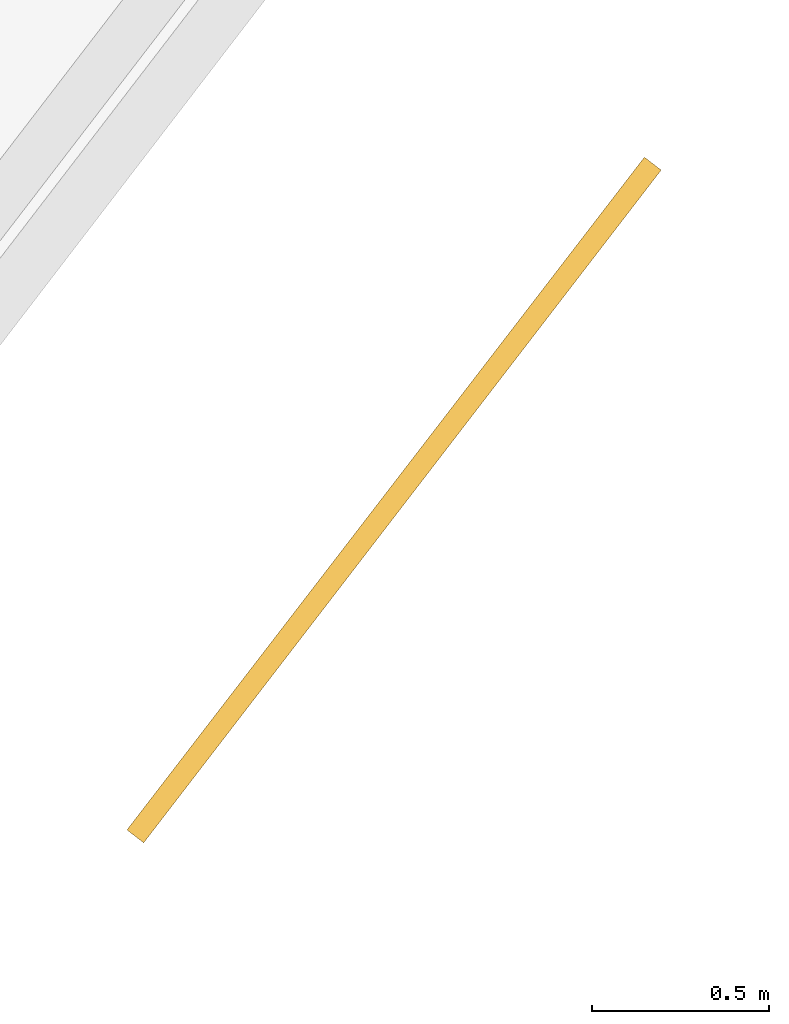
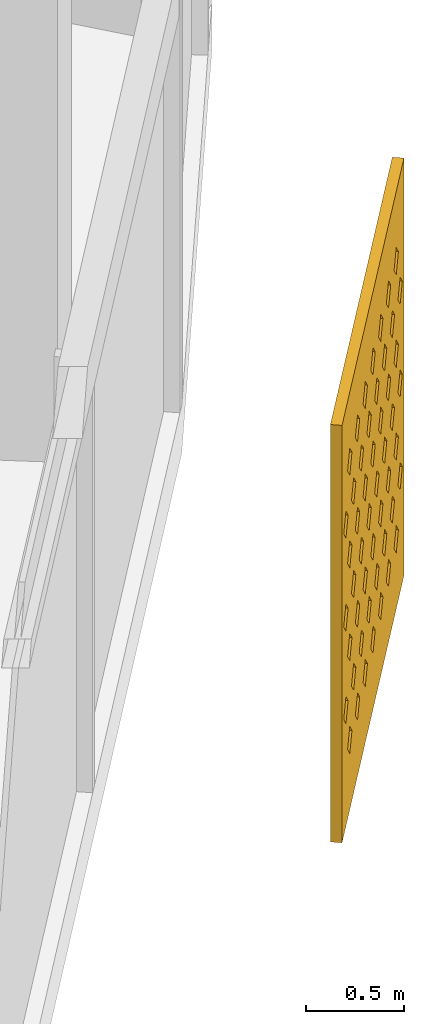
# One storey, part 27 of 27: 1 shading device.
"""IFC4 building model written with IfcOpenShell, lengths in metres."""

from ifc_helpers import new_model, si_unit, direction, frame, origin, place, context, subcontext, project, spatial, polyline, outline, extrude, material, material_profile, profile_set, type_object, element, save


model = new_model("IFC4")

# Units and contexts
model_context = context("Model", 3, precision=1e-05, world=origin(), true_north=direction((0.0, 1.0)))
body_context = subcontext(model_context, "Body", "Model", "MODEL_VIEW")
ifc_project = project(units=[si_unit("LENGTHUNIT", "METRE"), si_unit("AREAUNIT", "SQUARE_METRE"), si_unit("VOLUMEUNIT", "CUBIC_METRE"), si_unit("PLANEANGLEUNIT", "RADIAN"), si_unit("MASSUNIT", "GRAM", prefix="KILO")], contexts=[model_context])

# Site, building, storey
site_placement = place(None, origin())
site = spatial("IfcSite", under=ifc_project, at=site_placement, CompositionType="ELEMENT")
building_placement = place(site_placement, origin())
building = spatial("IfcBuilding", under=site, at=building_placement, Name="Qamariyya Broadcast Tower", CompositionType="ELEMENT")
storey_placement = place(building_placement, frame((0.0, 0.0, 191.10009765625)))
storey = spatial("IfcBuildingStorey", under=building, at=storey_placement, Name="L45", CompositionType="ELEMENT", Elevation=191.10009765625)

# Shading device
ifc_material = material(Name="Perforated glazed terracotta", Category="masonry")
ifc_material_profile = material_profile(ifc_material, outline(polyline([(-1.199951171875, -1.300048828125), (1.199951171875, -1.300048828125), (1.199951171875, 1.300048828125), (-1.199951171875, 1.300048828125), (-1.199951171875, -1.300048828125)]), holes=[polyline([(-0.81494140625, -0.86669921875), (-0.89990234375, -0.78173828125), (-0.985107421875, -0.86669921875), (-0.89990234375, -0.95166015625), (-0.81494140625, -0.86669921875)]), polyline([(-0.514892578125, -0.86669921875), (-0.60009765625, -0.78173828125), (-0.68505859375, -0.86669921875), (-0.60009765625, -0.95166015625), (-0.514892578125, -0.86669921875)]), polyline([(-0.215087890625, -0.86669921875), (-0.300048828125, -0.78173828125), (-0.385009765625, -0.86669921875), (-0.300048828125, -0.95166015625), (-0.215087890625, -0.86669921875)]), polyline([(0.0849609375, -0.86669921875), (0.0, -0.78173828125), (-0.0849609375, -0.86669921875), (0.0, -0.95166015625), (0.0849609375, -0.86669921875)]), polyline([(0.385009765625, -0.86669921875), (0.300048828125, -0.78173828125), (0.215087890625, -0.86669921875), (0.300048828125, -0.95166015625), (0.385009765625, -0.86669921875)]), polyline([(0.68505859375, -0.86669921875), (0.60009765625, -0.78173828125), (0.514892578125, -0.86669921875), (0.60009765625, -0.95166015625), (0.68505859375, -0.86669921875)]), polyline([(0.985107421875, -0.86669921875), (0.89990234375, -0.78173828125), (0.81494140625, -0.86669921875), (0.89990234375, -0.95166015625), (0.985107421875, -0.86669921875)]), polyline([(-0.965087890625, -0.577880859375), (-1.050048828125, -0.49267578125), (-1.135009765625, -0.577880859375), (-1.050048828125, -0.662841796875), (-0.965087890625, -0.577880859375)]), polyline([(-0.6650390625, -0.577880859375), (-0.75, -0.49267578125), (-0.8349609375, -0.577880859375), (-0.75, -0.662841796875), (-0.6650390625, -0.577880859375)]), polyline([(-0.364990234375, -0.577880859375), (-0.449951171875, -0.49267578125), (-0.534912109375, -0.577880859375), (-0.449951171875, -0.662841796875), (-0.364990234375, -0.577880859375)]), polyline([(-0.06494140625, -0.577880859375), (-0.14990234375, -0.49267578125), (-0.235107421875, -0.577880859375), (-0.14990234375, -0.662841796875), (-0.06494140625, -0.577880859375)]), polyline([(0.235107421875, -0.577880859375), (0.14990234375, -0.49267578125), (0.06494140625, -0.577880859375), (0.14990234375, -0.662841796875), (0.235107421875, -0.577880859375)]), polyline([(0.534912109375, -0.577880859375), (0.449951171875, -0.49267578125), (0.364990234375, -0.577880859375), (0.449951171875, -0.662841796875), (0.534912109375, -0.577880859375)]), polyline([(0.8349609375, -0.577880859375), (0.75, -0.49267578125), (0.6650390625, -0.577880859375), (0.75, -0.662841796875), (0.8349609375, -0.577880859375)]), polyline([(1.135009765625, -0.577880859375), (1.050048828125, -0.49267578125), (0.965087890625, -0.577880859375), (1.050048828125, -0.662841796875), (1.135009765625, -0.577880859375)]), polyline([(-0.81494140625, -0.288818359375), (-0.89990234375, -0.203857421875), (-0.985107421875, -0.288818359375), (-0.89990234375, -0.373779296875), (-0.81494140625, -0.288818359375)]), polyline([(-0.514892578125, -0.288818359375), (-0.60009765625, -0.203857421875), (-0.68505859375, -0.288818359375), (-0.60009765625, -0.373779296875), (-0.514892578125, -0.288818359375)]), polyline([(-0.215087890625, -0.288818359375), (-0.300048828125, -0.203857421875), (-0.385009765625, -0.288818359375), (-0.300048828125, -0.373779296875), (-0.215087890625, -0.288818359375)]), polyline([(0.0849609375, -0.288818359375), (0.0, -0.203857421875), (-0.0849609375, -0.288818359375), (0.0, -0.373779296875), (0.0849609375, -0.288818359375)]), polyline([(0.385009765625, -0.288818359375), (0.300048828125, -0.203857421875), (0.215087890625, -0.288818359375), (0.300048828125, -0.373779296875), (0.385009765625, -0.288818359375)]), polyline([(0.68505859375, -0.288818359375), (0.60009765625, -0.203857421875), (0.514892578125, -0.288818359375), (0.60009765625, -0.373779296875), (0.68505859375, -0.288818359375)]), polyline([(0.985107421875, -0.288818359375), (0.89990234375, -0.203857421875), (0.81494140625, -0.288818359375), (0.89990234375, -0.373779296875), (0.985107421875, -0.288818359375)]), polyline([(-0.965087890625, 0.0), (-1.050048828125, 0.0849609375), (-1.135009765625, 0.0), (-1.050048828125, -0.0849609375), (-0.965087890625, 0.0)]), polyline([(-0.6650390625, 0.0), (-0.75, 0.0849609375), (-0.8349609375, 0.0), (-0.75, -0.0849609375), (-0.6650390625, 0.0)]), polyline([(-0.364990234375, 0.0), (-0.449951171875, 0.0849609375), (-0.534912109375, 0.0), (-0.449951171875, -0.0849609375), (-0.364990234375, 0.0)]), polyline([(-0.06494140625, 0.0), (-0.14990234375, 0.0849609375), (-0.235107421875, 0.0), (-0.14990234375, -0.0849609375), (-0.06494140625, 0.0)]), polyline([(0.235107421875, 0.0), (0.14990234375, 0.0849609375), (0.06494140625, 0.0), (0.14990234375, -0.0849609375), (0.235107421875, 0.0)]), polyline([(0.534912109375, 0.0), (0.449951171875, 0.0849609375), (0.364990234375, 0.0), (0.449951171875, -0.0849609375), (0.534912109375, 0.0)]), polyline([(0.8349609375, 0.0), (0.75, 0.0849609375), (0.6650390625, 0.0), (0.75, -0.0849609375), (0.8349609375, 0.0)]), polyline([(1.135009765625, 0.0), (1.050048828125, 0.0849609375), (0.965087890625, 0.0), (1.050048828125, -0.0849609375), (1.135009765625, 0.0)]), polyline([(-0.81494140625, 0.288818359375), (-0.89990234375, 0.373779296875), (-0.985107421875, 0.288818359375), (-0.89990234375, 0.203857421875), (-0.81494140625, 0.288818359375)]), polyline([(-0.514892578125, 0.288818359375), (-0.60009765625, 0.373779296875), (-0.68505859375, 0.288818359375), (-0.60009765625, 0.203857421875), (-0.514892578125, 0.288818359375)]), polyline([(-0.215087890625, 0.288818359375), (-0.300048828125, 0.373779296875), (-0.385009765625, 0.288818359375), (-0.300048828125, 0.203857421875), (-0.215087890625, 0.288818359375)]), polyline([(0.0849609375, 0.288818359375), (0.0, 0.373779296875), (-0.0849609375, 0.288818359375), (0.0, 0.203857421875), (0.0849609375, 0.288818359375)]), polyline([(0.385009765625, 0.288818359375), (0.300048828125, 0.373779296875), (0.215087890625, 0.288818359375), (0.300048828125, 0.203857421875), (0.385009765625, 0.288818359375)]), polyline([(0.68505859375, 0.288818359375), (0.60009765625, 0.373779296875), (0.514892578125, 0.288818359375), (0.60009765625, 0.203857421875), (0.68505859375, 0.288818359375)]), polyline([(0.985107421875, 0.288818359375), (0.89990234375, 0.373779296875), (0.81494140625, 0.288818359375), (0.89990234375, 0.203857421875), (0.985107421875, 0.288818359375)]), polyline([(-0.965087890625, 0.577880859375), (-1.050048828125, 0.662841796875), (-1.135009765625, 0.577880859375), (-1.050048828125, 0.49267578125), (-0.965087890625, 0.577880859375)]), polyline([(-0.6650390625, 0.577880859375), (-0.75, 0.662841796875), (-0.8349609375, 0.577880859375), (-0.75, 0.49267578125), (-0.6650390625, 0.577880859375)]), polyline([(-0.364990234375, 0.577880859375), (-0.449951171875, 0.662841796875), (-0.534912109375, 0.577880859375), (-0.449951171875, 0.49267578125), (-0.364990234375, 0.577880859375)]), polyline([(-0.06494140625, 0.577880859375), (-0.14990234375, 0.662841796875), (-0.235107421875, 0.577880859375), (-0.14990234375, 0.49267578125), (-0.06494140625, 0.577880859375)]), polyline([(0.235107421875, 0.577880859375), (0.14990234375, 0.662841796875), (0.06494140625, 0.577880859375), (0.14990234375, 0.49267578125), (0.235107421875, 0.577880859375)]), polyline([(0.534912109375, 0.577880859375), (0.449951171875, 0.662841796875), (0.364990234375, 0.577880859375), (0.449951171875, 0.49267578125), (0.534912109375, 0.577880859375)]), polyline([(0.8349609375, 0.577880859375), (0.75, 0.662841796875), (0.6650390625, 0.577880859375), (0.75, 0.49267578125), (0.8349609375, 0.577880859375)]), polyline([(1.135009765625, 0.577880859375), (1.050048828125, 0.662841796875), (0.965087890625, 0.577880859375), (1.050048828125, 0.49267578125), (1.135009765625, 0.577880859375)]), polyline([(-0.81494140625, 0.86669921875), (-0.89990234375, 0.95166015625), (-0.985107421875, 0.86669921875), (-0.89990234375, 0.78173828125), (-0.81494140625, 0.86669921875)]), polyline([(-0.514892578125, 0.86669921875), (-0.60009765625, 0.95166015625), (-0.68505859375, 0.86669921875), (-0.60009765625, 0.78173828125), (-0.514892578125, 0.86669921875)]), polyline([(-0.215087890625, 0.86669921875), (-0.300048828125, 0.95166015625), (-0.385009765625, 0.86669921875), (-0.300048828125, 0.78173828125), (-0.215087890625, 0.86669921875)]), polyline([(0.0849609375, 0.86669921875), (0.0, 0.95166015625), (-0.0849609375, 0.86669921875), (0.0, 0.78173828125), (0.0849609375, 0.86669921875)]), polyline([(0.385009765625, 0.86669921875), (0.300048828125, 0.95166015625), (0.215087890625, 0.86669921875), (0.300048828125, 0.78173828125), (0.385009765625, 0.86669921875)]), polyline([(0.68505859375, 0.86669921875), (0.60009765625, 0.95166015625), (0.514892578125, 0.86669921875), (0.60009765625, 0.78173828125), (0.68505859375, 0.86669921875)]), polyline([(0.985107421875, 0.86669921875), (0.89990234375, 0.95166015625), (0.81494140625, 0.86669921875), (0.89990234375, 0.78173828125), (0.985107421875, 0.86669921875)])]))
ifc_profile_set = profile_set([ifc_material_profile], Name="Perforated glazed terracotta")
shading_device_type = type_object("IfcShadingDeviceType", Name="Perforated terracotta screen 2400 x 2600", PredefinedType="USERDEFINED", material=ifc_profile_set)
shading_device_placement = place(storey_placement, frame((65.095458984375, -46.745849609375, 1.349853515625), z_axis=(0.792623989105, -0.60971076085, 0.0), x_axis=(0.60971076085, 0.792623989105, 0.0)))
element("IfcShadingDevice", 1, at=shading_device_placement, inside=storey, type_object=shading_device_type, Name="e-scr-L45-14-2", ObjectType="SCREEN", PredefinedType="USERDEFINED", context=body_context, shape_type="SweptSolid", body=[
    extrude(outline(polyline([(-1.199951171875, -1.300048828125), (1.199951171875, -1.300048828125), (1.199951171875, 1.300048828125), (-1.199951171875, 1.300048828125), (-1.199951171875, -1.300048828125)]), holes=[polyline([(-0.81494140625, -0.86669921875), (-0.89990234375, -0.78173828125), (-0.985107421875, -0.86669921875), (-0.89990234375, -0.95166015625), (-0.81494140625, -0.86669921875)]), polyline([(-0.514892578125, -0.86669921875), (-0.60009765625, -0.78173828125), (-0.68505859375, -0.86669921875), (-0.60009765625, -0.95166015625), (-0.514892578125, -0.86669921875)]), polyline([(-0.215087890625, -0.86669921875), (-0.300048828125, -0.78173828125), (-0.385009765625, -0.86669921875), (-0.300048828125, -0.95166015625), (-0.215087890625, -0.86669921875)]), polyline([(0.0849609375, -0.86669921875), (0.0, -0.78173828125), (-0.0849609375, -0.86669921875), (0.0, -0.95166015625), (0.0849609375, -0.86669921875)]), polyline([(0.385009765625, -0.86669921875), (0.300048828125, -0.78173828125), (0.215087890625, -0.86669921875), (0.300048828125, -0.95166015625), (0.385009765625, -0.86669921875)]), polyline([(0.68505859375, -0.86669921875), (0.60009765625, -0.78173828125), (0.514892578125, -0.86669921875), (0.60009765625, -0.95166015625), (0.68505859375, -0.86669921875)]), polyline([(0.985107421875, -0.86669921875), (0.89990234375, -0.78173828125), (0.81494140625, -0.86669921875), (0.89990234375, -0.95166015625), (0.985107421875, -0.86669921875)]), polyline([(-0.965087890625, -0.577880859375), (-1.050048828125, -0.49267578125), (-1.135009765625, -0.577880859375), (-1.050048828125, -0.662841796875), (-0.965087890625, -0.577880859375)]), polyline([(-0.6650390625, -0.577880859375), (-0.75, -0.49267578125), (-0.8349609375, -0.577880859375), (-0.75, -0.662841796875), (-0.6650390625, -0.577880859375)]), polyline([(-0.364990234375, -0.577880859375), (-0.449951171875, -0.49267578125), (-0.534912109375, -0.577880859375), (-0.449951171875, -0.662841796875), (-0.364990234375, -0.577880859375)]), polyline([(-0.06494140625, -0.577880859375), (-0.14990234375, -0.49267578125), (-0.235107421875, -0.577880859375), (-0.14990234375, -0.662841796875), (-0.06494140625, -0.577880859375)]), polyline([(0.235107421875, -0.577880859375), (0.14990234375, -0.49267578125), (0.06494140625, -0.577880859375), (0.14990234375, -0.662841796875), (0.235107421875, -0.577880859375)]), polyline([(0.534912109375, -0.577880859375), (0.449951171875, -0.49267578125), (0.364990234375, -0.577880859375), (0.449951171875, -0.662841796875), (0.534912109375, -0.577880859375)]), polyline([(0.8349609375, -0.577880859375), (0.75, -0.49267578125), (0.6650390625, -0.577880859375), (0.75, -0.662841796875), (0.8349609375, -0.577880859375)]), polyline([(1.135009765625, -0.577880859375), (1.050048828125, -0.49267578125), (0.965087890625, -0.577880859375), (1.050048828125, -0.662841796875), (1.135009765625, -0.577880859375)]), polyline([(-0.81494140625, -0.288818359375), (-0.89990234375, -0.203857421875), (-0.985107421875, -0.288818359375), (-0.89990234375, -0.373779296875), (-0.81494140625, -0.288818359375)]), polyline([(-0.514892578125, -0.288818359375), (-0.60009765625, -0.203857421875), (-0.68505859375, -0.288818359375), (-0.60009765625, -0.373779296875), (-0.514892578125, -0.288818359375)]), polyline([(-0.215087890625, -0.288818359375), (-0.300048828125, -0.203857421875), (-0.385009765625, -0.288818359375), (-0.300048828125, -0.373779296875), (-0.215087890625, -0.288818359375)]), polyline([(0.0849609375, -0.288818359375), (0.0, -0.203857421875), (-0.0849609375, -0.288818359375), (0.0, -0.373779296875), (0.0849609375, -0.288818359375)]), polyline([(0.385009765625, -0.288818359375), (0.300048828125, -0.203857421875), (0.215087890625, -0.288818359375), (0.300048828125, -0.373779296875), (0.385009765625, -0.288818359375)]), polyline([(0.68505859375, -0.288818359375), (0.60009765625, -0.203857421875), (0.514892578125, -0.288818359375), (0.60009765625, -0.373779296875), (0.68505859375, -0.288818359375)]), polyline([(0.985107421875, -0.288818359375), (0.89990234375, -0.203857421875), (0.81494140625, -0.288818359375), (0.89990234375, -0.373779296875), (0.985107421875, -0.288818359375)]), polyline([(-0.965087890625, 0.0), (-1.050048828125, 0.0849609375), (-1.135009765625, 0.0), (-1.050048828125, -0.0849609375), (-0.965087890625, 0.0)]), polyline([(-0.6650390625, 0.0), (-0.75, 0.0849609375), (-0.8349609375, 0.0), (-0.75, -0.0849609375), (-0.6650390625, 0.0)]), polyline([(-0.364990234375, 0.0), (-0.449951171875, 0.0849609375), (-0.534912109375, 0.0), (-0.449951171875, -0.0849609375), (-0.364990234375, 0.0)]), polyline([(-0.06494140625, 0.0), (-0.14990234375, 0.0849609375), (-0.235107421875, 0.0), (-0.14990234375, -0.0849609375), (-0.06494140625, 0.0)]), polyline([(0.235107421875, 0.0), (0.14990234375, 0.0849609375), (0.06494140625, 0.0), (0.14990234375, -0.0849609375), (0.235107421875, 0.0)]), polyline([(0.534912109375, 0.0), (0.449951171875, 0.0849609375), (0.364990234375, 0.0), (0.449951171875, -0.0849609375), (0.534912109375, 0.0)]), polyline([(0.8349609375, 0.0), (0.75, 0.0849609375), (0.6650390625, 0.0), (0.75, -0.0849609375), (0.8349609375, 0.0)]), polyline([(1.135009765625, 0.0), (1.050048828125, 0.0849609375), (0.965087890625, 0.0), (1.050048828125, -0.0849609375), (1.135009765625, 0.0)]), polyline([(-0.81494140625, 0.288818359375), (-0.89990234375, 0.373779296875), (-0.985107421875, 0.288818359375), (-0.89990234375, 0.203857421875), (-0.81494140625, 0.288818359375)]), polyline([(-0.514892578125, 0.288818359375), (-0.60009765625, 0.373779296875), (-0.68505859375, 0.288818359375), (-0.60009765625, 0.203857421875), (-0.514892578125, 0.288818359375)]), polyline([(-0.215087890625, 0.288818359375), (-0.300048828125, 0.373779296875), (-0.385009765625, 0.288818359375), (-0.300048828125, 0.203857421875), (-0.215087890625, 0.288818359375)]), polyline([(0.0849609375, 0.288818359375), (0.0, 0.373779296875), (-0.0849609375, 0.288818359375), (0.0, 0.203857421875), (0.0849609375, 0.288818359375)]), polyline([(0.385009765625, 0.288818359375), (0.300048828125, 0.373779296875), (0.215087890625, 0.288818359375), (0.300048828125, 0.203857421875), (0.385009765625, 0.288818359375)]), polyline([(0.68505859375, 0.288818359375), (0.60009765625, 0.373779296875), (0.514892578125, 0.288818359375), (0.60009765625, 0.203857421875), (0.68505859375, 0.288818359375)]), polyline([(0.985107421875, 0.288818359375), (0.89990234375, 0.373779296875), (0.81494140625, 0.288818359375), (0.89990234375, 0.203857421875), (0.985107421875, 0.288818359375)]), polyline([(-0.965087890625, 0.577880859375), (-1.050048828125, 0.662841796875), (-1.135009765625, 0.577880859375), (-1.050048828125, 0.49267578125), (-0.965087890625, 0.577880859375)]), polyline([(-0.6650390625, 0.577880859375), (-0.75, 0.662841796875), (-0.8349609375, 0.577880859375), (-0.75, 0.49267578125), (-0.6650390625, 0.577880859375)]), polyline([(-0.364990234375, 0.577880859375), (-0.449951171875, 0.662841796875), (-0.534912109375, 0.577880859375), (-0.449951171875, 0.49267578125), (-0.364990234375, 0.577880859375)]), polyline([(-0.06494140625, 0.577880859375), (-0.14990234375, 0.662841796875), (-0.235107421875, 0.577880859375), (-0.14990234375, 0.49267578125), (-0.06494140625, 0.577880859375)]), polyline([(0.235107421875, 0.577880859375), (0.14990234375, 0.662841796875), (0.06494140625, 0.577880859375), (0.14990234375, 0.49267578125), (0.235107421875, 0.577880859375)]), polyline([(0.534912109375, 0.577880859375), (0.449951171875, 0.662841796875), (0.364990234375, 0.577880859375), (0.449951171875, 0.49267578125), (0.534912109375, 0.577880859375)]), polyline([(0.8349609375, 0.577880859375), (0.75, 0.662841796875), (0.6650390625, 0.577880859375), (0.75, 0.49267578125), (0.8349609375, 0.577880859375)]), polyline([(1.135009765625, 0.577880859375), (1.050048828125, 0.662841796875), (0.965087890625, 0.577880859375), (1.050048828125, 0.49267578125), (1.135009765625, 0.577880859375)]), polyline([(-0.81494140625, 0.86669921875), (-0.89990234375, 0.95166015625), (-0.985107421875, 0.86669921875), (-0.89990234375, 0.78173828125), (-0.81494140625, 0.86669921875)]), polyline([(-0.514892578125, 0.86669921875), (-0.60009765625, 0.95166015625), (-0.68505859375, 0.86669921875), (-0.60009765625, 0.78173828125), (-0.514892578125, 0.86669921875)]), polyline([(-0.215087890625, 0.86669921875), (-0.300048828125, 0.95166015625), (-0.385009765625, 0.86669921875), (-0.300048828125, 0.78173828125), (-0.215087890625, 0.86669921875)]), polyline([(0.0849609375, 0.86669921875), (0.0, 0.95166015625), (-0.0849609375, 0.86669921875), (0.0, 0.78173828125), (0.0849609375, 0.86669921875)]), polyline([(0.385009765625, 0.86669921875), (0.300048828125, 0.95166015625), (0.215087890625, 0.86669921875), (0.300048828125, 0.78173828125), (0.385009765625, 0.86669921875)]), polyline([(0.68505859375, 0.86669921875), (0.60009765625, 0.95166015625), (0.514892578125, 0.86669921875), (0.60009765625, 0.78173828125), (0.68505859375, 0.86669921875)]), polyline([(0.985107421875, 0.86669921875), (0.89990234375, 0.95166015625), (0.81494140625, 0.86669921875), (0.89990234375, 0.78173828125), (0.985107421875, 0.86669921875)])]), origin(), (0.0, 0.0, 1.0), 0.06005859375),
])

save(model, "model.ifc")
